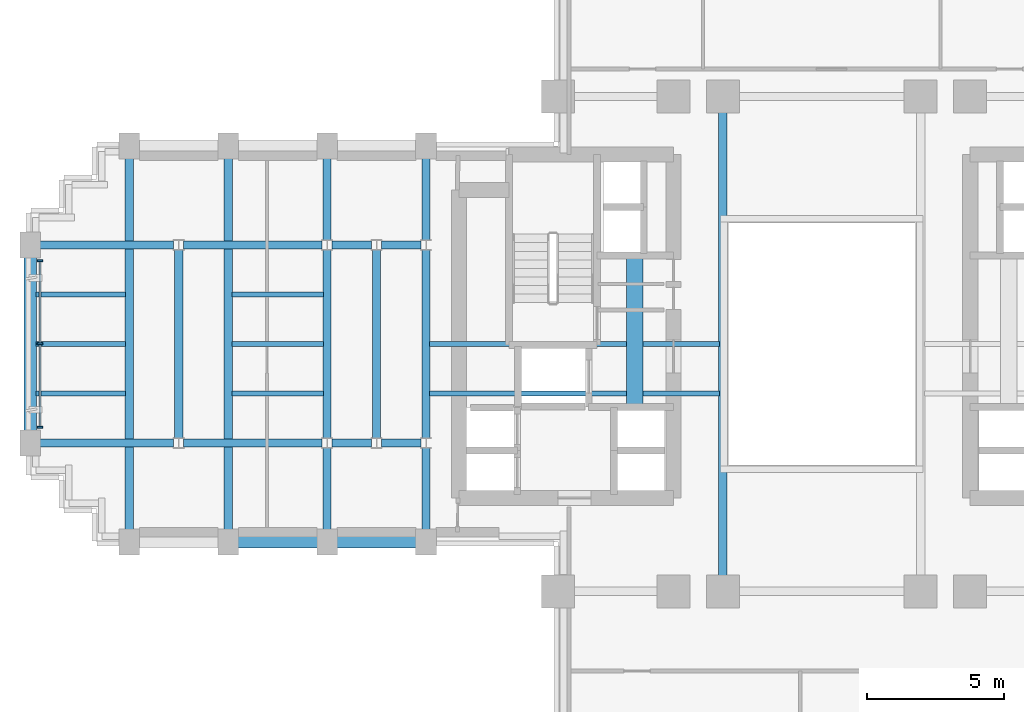
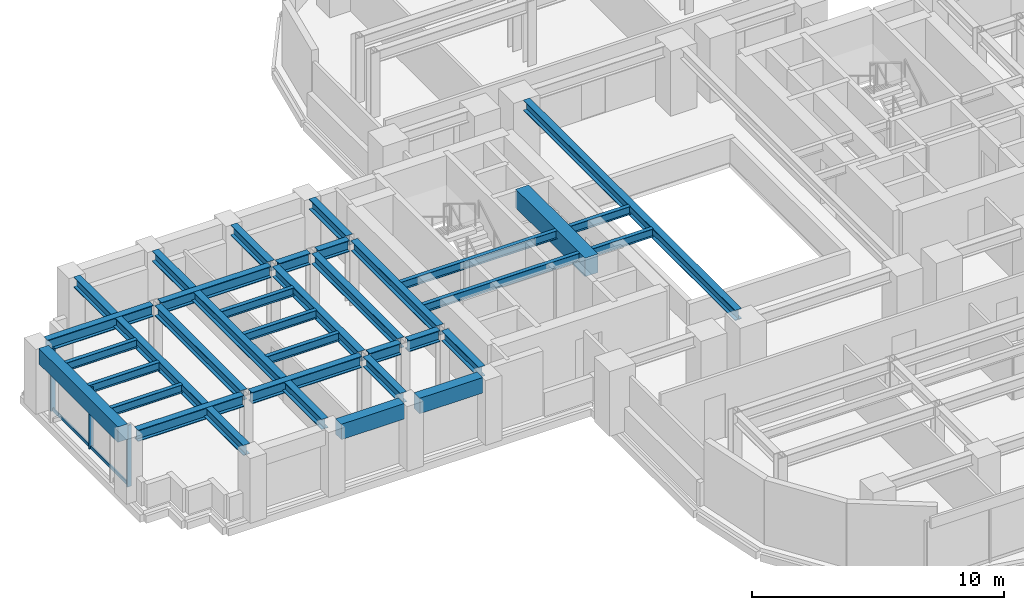
# One storey, part 4 of 16: 31 beams, 5 members, 1 element without a shape of its own.
"""IFC4 building model written with IfcOpenShell, lengths in metres."""

from ifc_helpers import new_model, si_unit, direction, frame, origin, origin_2d, place, context, subcontext, project, spatial, rectangle, i_section, extrude, source, transform, mapped, material, material_profile, profile_set, type_object, element, aggregate, save


model = new_model("IFC4")

# Units and contexts
model_context = context("Model", 3, precision=1e-05, world=origin(), true_north=direction((0.0, 1.0)))
body_context = subcontext(model_context, "Body", "Model", "MODEL_VIEW")
ifc_project = project(units=[si_unit("LENGTHUNIT", "METRE"), si_unit("AREAUNIT", "SQUARE_METRE"), si_unit("VOLUMEUNIT", "CUBIC_METRE"), si_unit("PLANEANGLEUNIT", "RADIAN"), si_unit("MASSUNIT", "GRAM", prefix="KILO")], contexts=[model_context])

# Site, building, storey
site_placement = place(None, origin())
site = spatial("IfcSite", under=ifc_project, at=site_placement, CompositionType="ELEMENT")
building_placement = place(site_placement, origin())
building = spatial("IfcBuilding", under=site, at=building_placement, Name="Keilestroom Media Tower", CompositionType="ELEMENT")
storey_placement = place(building_placement, frame((0.0, 0.0, 85.0)))
storey = spatial("IfcBuildingStorey", under=building, at=storey_placement, Name="L22", CompositionType="ELEMENT", Elevation=85.0)

# Beams
ifc_material_1 = material(Name="Concrete C70/85", Category="concrete")
ifc_material_profile_1 = material_profile(ifc_material_1, rectangle(XDim=0.60009765625, YDim=0.89990234375, at=origin_2d()), Name="RC 600x900")
ifc_profile_set_1 = profile_set([ifc_material_profile_1], Name="Concrete C70/85")
beam_type_1 = type_object("IfcBeamType", Name="Core-Coupling-Lintel-Beam-RC-600x900", PredefinedType="LINTEL", material=ifc_profile_set_1)
shared_shape_1 = source(origin(), body_context, "Body", "SweptSolid", [
    extrude(rectangle(XDim=0.60009765625, YDim=0.89990234375, at=origin_2d()), origin(), (0.0, 0.0, 1.0), 5.52001953125),
])
beam_1_placement = place(storey_placement, frame((-6.800048828125, -2.300048828125, 2.68994140625), z_axis=(0.0, 1.0, 0.0), x_axis=(-1.0, 0.0, 0.0)))
element("IfcBeam", 1, at=beam_1_placement, inside=storey, type_object=beam_type_1, Name="L22 Beam CLB-1 CLB-L22-W", PredefinedType="LINTEL", context=body_context, shape_type="MappedRepresentation", body=[
    mapped(shared_shape_1, transform((0.0, 0.0, 0.0), x_axis=(1.0, 0.0, 0.0), y_axis=(0.0, 1.0, 0.0), z_axis=(0.0, 0.0, 1.0), scale=1.0)),
])
ifc_material_2 = material(Name="Precast concrete C40/50", Category="concrete")
ifc_material_profile_2 = material_profile(ifc_material_2, rectangle(XDim=0.449951171875, YDim=0.75, at=origin_2d()), Name="PC 450x750")
ifc_profile_set_2 = profile_set([ifc_material_profile_2], Name="Precast concrete C40/50")
beam_type_2 = type_object("IfcBeamType", Name="Perimeter-Spandrel-Beam-PC-450x750", PredefinedType="SPANDREL", material=ifc_profile_set_2)
shared_shape_2 = source(origin(), body_context, "Body", "SweptSolid", [
    extrude(rectangle(XDim=0.449951171875, YDim=0.75, at=origin_2d()), origin(), (0.0, 0.0, 1.0), 6.2900390625),
])
beam_2_placement = place(storey_placement, frame((-28.800048828125, -3.14501953125, 2.764892578125), z_axis=(0.0, 1.0, 0.0), x_axis=(-1.0, 0.0, 0.0)))
element("IfcBeam", 2, at=beam_2_placement, inside=storey, type_object=beam_type_2, Name="L22 Beam SPB-1 BM-L22-NS-051", PredefinedType="SPANDREL", context=body_context, shape_type="MappedRepresentation", body=[
    mapped(shared_shape_2, transform((0.0, 0.0, 0.0), x_axis=(1.0, 0.0, 0.0), y_axis=(0.0, 1.0, 0.0), z_axis=(0.0, 0.0, 1.0), scale=1.0)),
])
shared_shape_3 = source(origin(), body_context, "Body", "SweptSolid", [
    extrude(rectangle(XDim=0.449951171875, YDim=0.75, at=origin_2d()), origin(), (0.0, 0.0, 1.0), 2.89013671875),
])
for number, where, z_axis, x_axis, name in (
    (3, (-21.2451171875, -7.199951171875, 2.764892578125), (1.0, 0.0, 0.0), (0.0, 1.0, 0.0), "L22 Beam SPB-1 BM-L22-EW-013"),
    (4, (-17.64501953125, -7.199951171875, 2.764892578125), (1.0, 0.0, 0.0), (0.0, 1.0, 0.0), "L22 Beam SPB-1 BM-L22-EW-014"),
):
    element("IfcBeam", number, at=place(storey_placement, frame(where, z_axis=z_axis, x_axis=x_axis)), inside=storey, type_object=beam_type_2, Name=name, PredefinedType="SPANDREL", context=body_context, shape_type="MappedRepresentation", body=[
        mapped(shared_shape_3, transform((0.0, 0.0, 0.0), x_axis=(1.0, 0.0, 0.0), y_axis=(0.0, 1.0, 0.0), z_axis=(0.0, 0.0, 1.0), scale=1.0)),
    ])
ifc_material_3 = material(Name="Steel S355", Category="steel")
ifc_material_profile_3 = material_profile(ifc_material_3, i_section(OverallWidth=0.300048828125, OverallDepth=0.550048828125, WebThickness=0.012939453125, FlangeThickness=0.029052734375, at=origin_2d()), Name="HEB 550")
ifc_profile_set_3 = profile_set([ifc_material_profile_3], Name="Steel S355")
beam_type_3 = type_object("IfcBeamType", Name="Primary-Structural-Girder-HEB-550", PredefinedType="BEAM", material=ifc_profile_set_3)
shared_shape_4 = source(origin(), body_context, "Body", "SweptSolid", [
    extrude(i_section(OverallWidth=0.300048828125, OverallDepth=0.550048828125, WebThickness=0.012939453125, FlangeThickness=0.029052734375, at=origin_2d()), origin(), (0.0, 0.0, 1.0), 4.863037109375),
])
for number, where, z_axis, x_axis, name in (
    (5, (-28.445068359375, -3.60009765625, 2.864990234375), (1.0, 0.0, 0.0), (0.0, 1.0, 0.0), "L22 Beam BG-5 BM-L22-EW-018"),
    (6, (-28.445068359375, 3.60009765625, 2.864990234375), (1.0, 0.0, 0.0), (0.0, 1.0, 0.0), "L22 Beam BG-5 BM-L22-EW-026"),
):
    element("IfcBeam", number, at=place(storey_placement, frame(where, z_axis=z_axis, x_axis=x_axis)), inside=storey, type_object=beam_type_3, Name=name, PredefinedType="BEAM", context=body_context, shape_type="MappedRepresentation", body=[
        mapped(shared_shape_4, transform((0.0, 0.0, 0.0), x_axis=(1.0, 0.0, 0.0), y_axis=(0.0, 1.0, 0.0), z_axis=(0.0, 0.0, 1.0), scale=1.0)),
    ])
shared_shape_5 = source(origin(), body_context, "Body", "SweptSolid", [
    extrude(i_section(OverallWidth=0.300048828125, OverallDepth=0.550048828125, WebThickness=0.012939453125, FlangeThickness=0.029052734375, at=origin_2d()), origin(), (0.0, 0.0, 1.0), 5.0361328125),
])
for number, where, z_axis, x_axis, name in (
    (7, (-23.218017578125, -3.60009765625, 2.864990234375), (1.0, 0.0, 0.0), (0.0, 1.0, 0.0), "L22 Beam BG-5 BM-L22-EW-019"),
    (8, (-23.218017578125, 3.60009765625, 2.864990234375), (1.0, 0.0, 0.0), (0.0, 1.0, 0.0), "L22 Beam BG-5 BM-L22-EW-027"),
):
    element("IfcBeam", number, at=place(storey_placement, frame(where, z_axis=z_axis, x_axis=x_axis)), inside=storey, type_object=beam_type_3, Name=name, PredefinedType="BEAM", context=body_context, shape_type="MappedRepresentation", body=[
        mapped(shared_shape_5, transform((0.0, 0.0, 0.0), x_axis=(1.0, 0.0, 0.0), y_axis=(0.0, 1.0, 0.0), z_axis=(0.0, 0.0, 1.0), scale=1.0)),
    ])
shared_shape_6 = source(origin(), body_context, "Body", "SweptSolid", [
    extrude(i_section(OverallWidth=0.300048828125, OverallDepth=0.550048828125, WebThickness=0.012939453125, FlangeThickness=0.029052734375, at=origin_2d()), origin(), (0.0, 0.0, 1.0), 1.43603515625),
])
for number, where, z_axis, x_axis, name in (
    (9, (-17.818115234375, -3.60009765625, 2.864990234375), (1.0, 0.0, 0.0), (0.0, 1.0, 0.0), "L22 Beam BG-5 BM-L22-EW-020"),
    (10, (-16.01806640625, -3.60009765625, 2.864990234375), (1.0, 0.0, 0.0), (0.0, 1.0, 0.0), "L22 Beam BG-5 BM-L22-EW-021"),
    (11, (-17.818115234375, 3.60009765625, 2.864990234375), (1.0, 0.0, 0.0), (0.0, 1.0, 0.0), "L22 Beam BG-5 BM-L22-EW-028"),
    (12, (-16.01806640625, 3.60009765625, 2.864990234375), (1.0, 0.0, 0.0), (0.0, 1.0, 0.0), "L22 Beam BG-5 BM-L22-EW-029"),
):
    element("IfcBeam", number, at=place(storey_placement, frame(where, z_axis=z_axis, x_axis=x_axis)), inside=storey, type_object=beam_type_3, Name=name, PredefinedType="BEAM", context=body_context, shape_type="MappedRepresentation", body=[
        mapped(shared_shape_6, transform((0.0, 0.0, 0.0), x_axis=(1.0, 0.0, 0.0), y_axis=(0.0, 1.0, 0.0), z_axis=(0.0, 0.0, 1.0), scale=1.0)),
    ])
ifc_material_profile_4 = material_profile(ifc_material_3, i_section(OverallWidth=0.300048828125, OverallDepth=0.5, WebThickness=0.012451171875, FlangeThickness=0.028076171875, at=origin_2d()), Name="HEB 500")
ifc_profile_set_4 = profile_set([ifc_material_profile_4], Name="Steel S355")
beam_type_4 = type_object("IfcBeamType", Name="Primary-Structural-Girder-HEB-500", PredefinedType="BEAM", material=ifc_profile_set_4)
shared_shape_7 = source(origin(), body_context, "Body", "SweptSolid", [
    extrude(i_section(OverallWidth=0.300048828125, OverallDepth=0.5, WebThickness=0.012451171875, FlangeThickness=0.028076171875, at=origin_2d()), origin(), (0.0, 0.0, 1.0), 13.490234375),
])
for number, where, z_axis, x_axis, name in (
    (13, (-25.199951171875, -6.7451171875, 2.889892578125), (0.0, 1.0, 0.0), (-1.0, 0.0, 0.0), "L22 Beam BG-6 BM-L22-NS-052"),
    (14, (-21.60009765625, -6.7451171875, 2.889892578125), (0.0, 1.0, 0.0), (-1.0, 0.0, 0.0), "L22 Beam BG-6 BM-L22-NS-054"),
):
    element("IfcBeam", number, at=place(storey_placement, frame(where, z_axis=z_axis, x_axis=x_axis)), inside=storey, type_object=beam_type_4, Name=name, PredefinedType="BEAM", context=body_context, shape_type="MappedRepresentation", body=[
        mapped(shared_shape_7, transform((0.0, 0.0, 0.0), x_axis=(1.0, 0.0, 0.0), y_axis=(0.0, 1.0, 0.0), z_axis=(0.0, 0.0, 1.0), scale=1.0)),
    ])
shared_shape_8 = source(origin(), body_context, "Body", "SweptSolid", [
    extrude(i_section(OverallWidth=0.300048828125, OverallDepth=0.5, WebThickness=0.012451171875, FlangeThickness=0.028076171875, at=origin_2d()), origin(), (0.0, 0.0, 1.0), 6.8330078125),
])
for number, where, z_axis, x_axis, name in (
    (15, (-23.39990234375, -3.41650390625, 2.889892578125), (0.0, 1.0, 0.0), (-1.0, 0.0, 0.0), "L22 Beam BG-6 BM-L22-NS-053"),
    (16, (-18.0, -3.41650390625, 2.889892578125), (0.0, 1.0, 0.0), (-1.0, 0.0, 0.0), "L22 Beam BG-6 BM-L22-NS-056"),
    (17, (-16.199951171875, -3.41650390625, 2.889892578125), (0.0, 1.0, 0.0), (-1.0, 0.0, 0.0), "L22 Beam BG-6 BM-L22-NS-058"),
    (18, (-14.39990234375, -3.41650390625, 2.889892578125), (0.0, 1.0, 0.0), (-1.0, 0.0, 0.0), "L22 Beam BG-6 BM-L22-NS-060"),
):
    element("IfcBeam", number, at=place(storey_placement, frame(where, z_axis=z_axis, x_axis=x_axis)), inside=storey, type_object=beam_type_4, Name=name, PredefinedType="BEAM", context=body_context, shape_type="MappedRepresentation", body=[
        mapped(shared_shape_8, transform((0.0, 0.0, 0.0), x_axis=(1.0, 0.0, 0.0), y_axis=(0.0, 1.0, 0.0), z_axis=(0.0, 0.0, 1.0), scale=1.0)),
    ])
shared_shape_9 = source(origin(), body_context, "Body", "SweptSolid", [
    extrude(i_section(OverallWidth=0.300048828125, OverallDepth=0.5, WebThickness=0.012451171875, FlangeThickness=0.028076171875, at=origin_2d()), origin(), (0.0, 0.0, 1.0), 2.961669921875),
])
for number, where, z_axis, x_axis, name in (
    (19, (-18.0, -6.7451171875, 2.889892578125), (0.0, 1.0, 0.0), (-1.0, 0.0, 0.0), "L22 Beam BG-6 BM-L22-NS-055"),
    (20, (-18.0, 3.783447265625, 2.889892578125), (0.0, 1.0, 0.0), (-1.0, 0.0, 0.0), "L22 Beam BG-6 BM-L22-NS-057"),
    (21, (-14.39990234375, -6.7451171875, 2.889892578125), (0.0, 1.0, 0.0), (-1.0, 0.0, 0.0), "L22 Beam BG-6 BM-L22-NS-059"),
    (22, (-14.39990234375, 3.783447265625, 2.889892578125), (0.0, 1.0, 0.0), (-1.0, 0.0, 0.0), "L22 Beam BG-6 BM-L22-NS-061"),
):
    element("IfcBeam", number, at=place(storey_placement, frame(where, z_axis=z_axis, x_axis=x_axis)), inside=storey, type_object=beam_type_4, Name=name, PredefinedType="BEAM", context=body_context, shape_type="MappedRepresentation", body=[
        mapped(shared_shape_9, transform((0.0, 0.0, 0.0), x_axis=(1.0, 0.0, 0.0), y_axis=(0.0, 1.0, 0.0), z_axis=(0.0, 0.0, 1.0), scale=1.0)),
    ])
shared_shape_10 = source(origin(), body_context, "Body", "SweptSolid", [
    extrude(i_section(OverallWidth=0.300048828125, OverallDepth=0.5, WebThickness=0.012451171875, FlangeThickness=0.028076171875, at=origin_2d()), origin(), (0.0, 0.0, 1.0), 16.83984375),
])
beam_3_placement = place(storey_placement, frame((-3.60009765625, -8.419921875, 2.889892578125), z_axis=(0.0, 1.0, 0.0), x_axis=(-1.0, 0.0, 0.0)))
element("IfcBeam", 23, at=beam_3_placement, inside=storey, type_object=beam_type_4, Name="L22 Beam BG-6 BM-L22-NS-066", PredefinedType="BEAM", context=body_context, shape_type="MappedRepresentation", body=[
    mapped(shared_shape_10, transform((0.0, 0.0, 0.0), x_axis=(1.0, 0.0, 0.0), y_axis=(0.0, 1.0, 0.0), z_axis=(0.0, 0.0, 1.0), scale=1.0)),
])
ifc_material_profile_5 = material_profile(ifc_material_3, i_section(OverallWidth=0.179931640625, OverallDepth=0.39990234375, WebThickness=0.008544921875, FlangeThickness=0.013427734375, at=origin_2d()), Name="IPE 400")
ifc_profile_set_5 = profile_set([ifc_material_profile_5], Name="Steel S355")
beam_type_5 = type_object("IfcBeamType", Name="Secondary-Floor-Joist-IPE-400", PredefinedType="JOIST", material=ifc_profile_set_5)
shared_shape_11 = source(origin(), body_context, "Body", "SweptSolid", [
    extrude(i_section(OverallWidth=0.179931640625, OverallDepth=0.39990234375, WebThickness=0.008544921875, FlangeThickness=0.013427734375, at=origin_2d()), origin(), (0.0, 0.0, 1.0), 3.264892578125),
])
for number, where, z_axis, x_axis, name in (
    (24, (-28.594970703125, -1.800048828125, 2.93994140625), (1.0, 0.0, 0.0), (0.0, 1.0, 0.0), "L22 Beam BJ-4 JST-L22-089"),
    (25, (-28.594970703125, 0.0, 2.93994140625), (1.0, 0.0, 0.0), (0.0, 1.0, 0.0), "L22 Beam BJ-4 JST-L22-096"),
    (26, (-28.594970703125, 1.800048828125, 2.93994140625), (1.0, 0.0, 0.0), (0.0, 1.0, 0.0), "L22 Beam BJ-4 JST-L22-103"),
):
    element("IfcBeam", number, at=place(storey_placement, frame(where, z_axis=z_axis, x_axis=x_axis)), inside=storey, type_object=beam_type_5, Name=name, PredefinedType="JOIST", context=body_context, shape_type="MappedRepresentation", body=[
        mapped(shared_shape_11, transform((0.0, 0.0, 0.0), x_axis=(1.0, 0.0, 0.0), y_axis=(0.0, 1.0, 0.0), z_axis=(0.0, 0.0, 1.0), scale=1.0)),
    ])
shared_shape_12 = source(origin(), body_context, "Body", "SweptSolid", [
    extrude(i_section(OverallWidth=0.179931640625, OverallDepth=0.39990234375, WebThickness=0.008544921875, FlangeThickness=0.013427734375, at=origin_2d()), origin(), (0.0, 0.0, 1.0), 3.340087890625),
])
for number, where, z_axis, x_axis, name in (
    (27, (-21.469970703125, -1.800048828125, 2.93994140625), (1.0, 0.0, 0.0), (0.0, 1.0, 0.0), "L22 Beam BJ-4 JST-L22-090"),
    (28, (-21.469970703125, 0.0, 2.93994140625), (1.0, 0.0, 0.0), (0.0, 1.0, 0.0), "L22 Beam BJ-4 JST-L22-097"),
    (29, (-21.469970703125, 1.800048828125, 2.93994140625), (1.0, 0.0, 0.0), (0.0, 1.0, 0.0), "L22 Beam BJ-4 JST-L22-104"),
):
    element("IfcBeam", number, at=place(storey_placement, frame(where, z_axis=z_axis, x_axis=x_axis)), inside=storey, type_object=beam_type_5, Name=name, PredefinedType="JOIST", context=body_context, shape_type="MappedRepresentation", body=[
        mapped(shared_shape_12, transform((0.0, 0.0, 0.0), x_axis=(1.0, 0.0, 0.0), y_axis=(0.0, 1.0, 0.0), z_axis=(0.0, 0.0, 1.0), scale=1.0)),
    ])
shared_shape_13 = source(origin(), body_context, "Body", "SweptSolid", [
    extrude(i_section(OverallWidth=0.179931640625, OverallDepth=0.39990234375, WebThickness=0.008544921875, FlangeThickness=0.013427734375, at=origin_2d()), origin(), (0.0, 0.0, 1.0), 10.5400390625),
])
for number, where, z_axis, x_axis, name in (
    (30, (-14.27001953125, -1.800048828125, 2.93994140625), (1.0, 0.0, 0.0), (0.0, 1.0, 0.0), "L22 Beam BJ-4 JST-L22-091"),
    (31, (-14.27001953125, 0.0, 2.93994140625), (1.0, 0.0, 0.0), (0.0, 1.0, 0.0), "L22 Beam BJ-4 JST-L22-098"),
):
    element("IfcBeam", number, at=place(storey_placement, frame(where, z_axis=z_axis, x_axis=x_axis)), inside=storey, type_object=beam_type_5, Name=name, PredefinedType="JOIST", context=body_context, shape_type="MappedRepresentation", body=[
        mapped(shared_shape_13, transform((0.0, 0.0, 0.0), x_axis=(1.0, 0.0, 0.0), y_axis=(0.0, 1.0, 0.0), z_axis=(0.0, 0.0, 1.0), scale=1.0)),
    ])

# Curtain wall, members
ifc_material_4 = material(Name="Anodised Aluminium Alloy", Category="aluminium")
curtain_wall_type = type_object("IfcCurtainWallType", Name="Unitised-Curtain-Wall-CW-1", PredefinedType="NOTDEFINED", material=ifc_material_4)
curtain_wall_placement = place(storey_placement, origin())
curtain_wall = element("IfcCurtainWall", 32, at=curtain_wall_placement, inside=storey, type_object=curtain_wall_type, Name="L22 Curtain Wall CW-1 CW-L22-W-1", PredefinedType="NOTDEFINED")
ifc_material_profile_6 = material_profile(ifc_material_4, rectangle(XDim=0.070068359375, YDim=0.199951171875, at=origin_2d()), Name="ALU MULLION 70x200")
ifc_profile_set_6 = profile_set([ifc_material_profile_6], Name="Anodised Aluminium Alloy")
member_type_1 = type_object("IfcMemberType", Name="Curtain-Wall-Mullion-CW-1", PredefinedType="MULLION", material=ifc_profile_set_6)
shared_shape_14 = source(origin(), body_context, "Body", "SweptSolid", [
    extrude(rectangle(XDim=0.070068359375, YDim=0.199951171875, at=origin_2d()), origin(), (0.0, 0.0, 1.0), 2.97998046875),
])
member_1_placement = place(storey_placement, frame((-28.449951171875, -3.030029296875, 0.0), z_axis=(0.0, 0.0, 1.0), x_axis=(0.0, 1.0, 0.0)))
member_1 = element("IfcMember", 33, at=member_1_placement, type_object=member_type_1, Name="CW-1 Mullion 00", PredefinedType="MULLION", context=body_context, shape_type="MappedRepresentation", body=[
    mapped(shared_shape_14, transform((0.0, 0.0, 0.0), x_axis=(1.0, 0.0, 0.0), y_axis=(0.0, 1.0, 0.0), z_axis=(0.0, 0.0, 1.0), scale=1.0)),
])
member_2_placement = place(storey_placement, frame((-28.449951171875, 0.0, 0.0), z_axis=(0.0, 0.0, 1.0), x_axis=(0.0, 1.0, 0.0)))
member_2 = element("IfcMember", 34, at=member_2_placement, type_object=member_type_1, Name="CW-1 Mullion 01", PredefinedType="MULLION", context=body_context, shape_type="MappedRepresentation", body=[
    mapped(shared_shape_14, transform((0.0, 0.0, 0.0), x_axis=(1.0, 0.0, 0.0), y_axis=(0.0, 1.0, 0.0), z_axis=(0.0, 0.0, 1.0), scale=1.0)),
])
member_3_placement = place(storey_placement, frame((-28.449951171875, 3.030029296875, 0.0), z_axis=(0.0, 0.0, 1.0), x_axis=(0.0, 1.0, 0.0)))
member_3 = element("IfcMember", 35, at=member_3_placement, type_object=member_type_1, Name="CW-1 Mullion 02", PredefinedType="MULLION", context=body_context, shape_type="MappedRepresentation", body=[
    mapped(shared_shape_14, transform((0.0, 0.0, 0.0), x_axis=(1.0, 0.0, 0.0), y_axis=(0.0, 1.0, 0.0), z_axis=(0.0, 0.0, 1.0), scale=1.0)),
])
ifc_material_profile_7 = material_profile(ifc_material_4, rectangle(XDim=0.06494140625, YDim=0.14990234375, at=origin_2d()), Name="ALU TRANSOM 65x150")
ifc_profile_set_7 = profile_set([ifc_material_profile_7], Name="Anodised Aluminium Alloy")
member_type_2 = type_object("IfcMemberType", Name="Curtain-Wall-Transom-CW-1", PredefinedType="USERDEFINED", material=ifc_profile_set_7)
shared_shape_15 = source(origin(), body_context, "Body", "SweptSolid", [
    extrude(rectangle(XDim=0.06494140625, YDim=0.14990234375, at=origin_2d()), origin(), (0.0, 0.0, 1.0), 2.964111328125),
])
member_4_placement = place(storey_placement, frame((-28.449951171875, -2.9970703125, 0.074951171875), z_axis=(0.0, 1.0, 0.0), x_axis=(-1.0, 0.0, 0.0)))
member_4 = element("IfcMember", 36, at=member_4_placement, type_object=member_type_2, Name="CW-1 Transom 00.1", ObjectType="TRANSOM", PredefinedType="USERDEFINED", context=body_context, shape_type="MappedRepresentation", body=[
    mapped(shared_shape_15, transform((0.0, 0.0, 0.0), x_axis=(1.0, 0.0, 0.0), y_axis=(0.0, 1.0, 0.0), z_axis=(0.0, 0.0, 1.0), scale=1.0)),
])
member_5_placement = place(storey_placement, frame((-28.449951171875, 0.032958984375, 0.074951171875), z_axis=(0.0, 1.0, 0.0), x_axis=(-1.0, 0.0, 0.0)))
member_5 = element("IfcMember", 37, at=member_5_placement, type_object=member_type_2, Name="CW-1 Transom 01.1", ObjectType="TRANSOM", PredefinedType="USERDEFINED", context=body_context, shape_type="MappedRepresentation", body=[
    mapped(shared_shape_15, transform((0.0, 0.0, 0.0), x_axis=(1.0, 0.0, 0.0), y_axis=(0.0, 1.0, 0.0), z_axis=(0.0, 0.0, 1.0), scale=1.0)),
])
aggregate(curtain_wall, [member_1, member_2, member_3, member_4, member_5])

save(model, "model.ifc")
